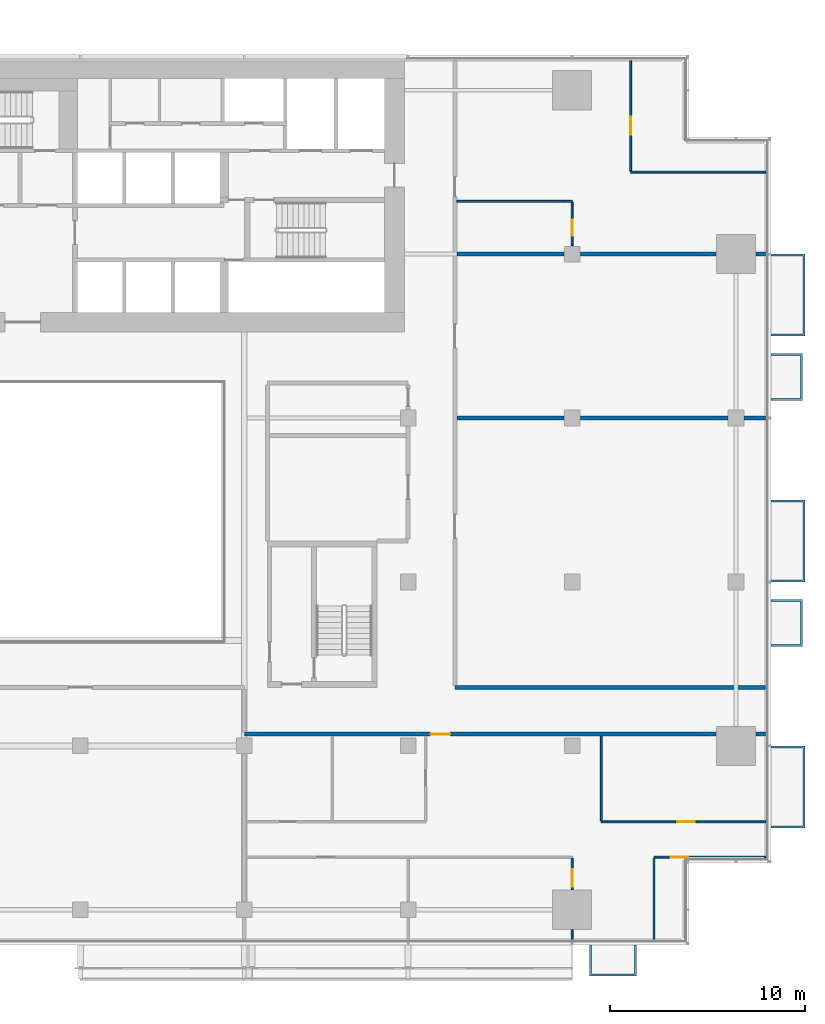
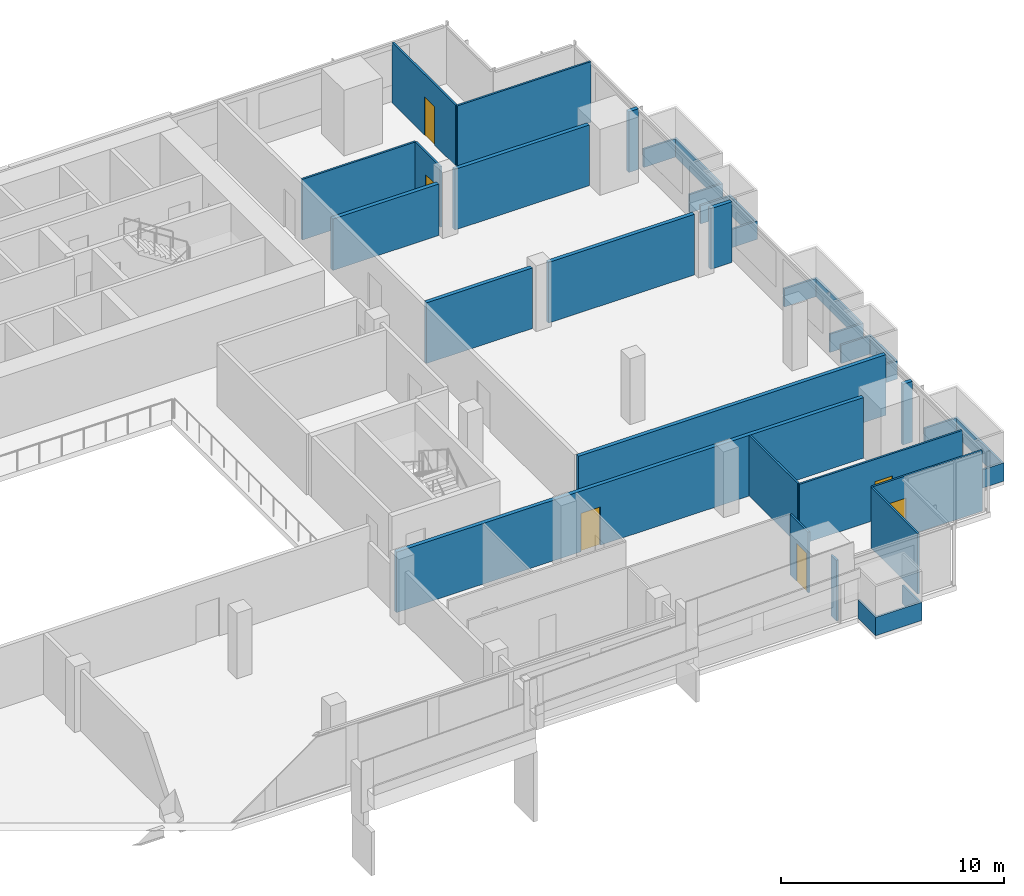
# One storey, part 22 of 26: 25 walls, 6 doors, 6 openings.
"""IFC4 building model written with IfcOpenShell, lengths in metres."""

import ifcopenshell
import ifcopenshell.guid

model = None  # the IFC model being written
_history = None  # IfcOwnerHistory: only IFC2X3 demands one
_inside = {}  # id of a spatial element -> (the spatial element, [elements in it])
_under = {}  # id of a project, library or spatial element -> (it, [spatial elements below it])
_declared = {}  # id of a project -> (the project, [libraries it declares])
_typed = {}  # id of a type object -> (the type object, [elements of that type])
_made_of = {}  # id of a material, layer set ... -> (it, [elements and type objects made of it])


def new_model(schema):
    """Start an empty IFC model of exactly this schema.

    Asked for "IFC4X3", IfcOpenShell would pick the latest addendum, in which some entities
    have other attributes; the version numbers below select the first issue.
    IFC2X3 requires an IfcOwnerHistory on every rooted entity: one is made here for all.
    """
    global model, _history
    if schema == "IFC4X3":
        model = ifcopenshell.file(schema_version=(4, 3, 0, 0))
    else:
        model = ifcopenshell.file(schema=schema)
    _inside.clear()
    _under.clear()
    _declared.clear()
    _typed.clear()
    _made_of.clear()
    _history = None
    if model.schema == "IFC2X3":
        org = make("IfcOrganization", Name="unknown")
        user = make(
            "IfcPersonAndOrganization",
            ThePerson=make("IfcPerson", FamilyName="unknown"),
            TheOrganization=org,
        )
        app = make(
            "IfcApplication",
            ApplicationDeveloper=org,
            Version="unknown",
            ApplicationFullName="unknown",
            ApplicationIdentifier="unknown",
        )
        _history = make(
            "IfcOwnerHistory",
            OwningUser=user,
            OwningApplication=app,
            ChangeAction="ADDED",
            CreationDate=0,
        )
    return model


def make(cls, **values):
    """One entity of the class cls with the attributes given. An attribute that is None is left unset."""
    return model.create_entity(
        cls, **{name: value for name, value in values.items() if value is not None}
    )


def rooted(cls, **values):
    """An entity with a GlobalId (a new one), such as an element, a storey or a relation."""
    return make(cls, GlobalId=ifcopenshell.guid.new(), OwnerHistory=_history, **values)


def si_unit(unit_type, name, prefix=None):
    """IfcSIUnit, for example si_unit("LENGTHUNIT", "METRE", prefix="MILLI")."""
    return make("IfcSIUnit", UnitType=unit_type, Prefix=prefix, Name=name)


def assignment(units):
    """IfcUnitAssignment: the units of a project."""
    return None if units is None else make("IfcUnitAssignment", Units=units)


def point(xyz):
    """IfcCartesianPoint."""
    return None if xyz is None else make("IfcCartesianPoint", Coordinates=xyz)


def direction(xyz):
    """IfcDirection."""
    return None if xyz is None else make("IfcDirection", DirectionRatios=xyz)


def frame(location, z_axis=None, x_axis=None):
    """IfcAxis2Placement3D, a coordinate frame: its origin and axes. An axis left out is left unset."""
    return make(
        "IfcAxis2Placement3D",
        Location=point(location),
        Axis=direction(z_axis),
        RefDirection=direction(x_axis),
    )


def frame_2d(location, x_axis=None):
    """IfcAxis2Placement2D, a coordinate frame in the plane: its origin and x axis."""
    return make(
        "IfcAxis2Placement2D", Location=point(location), RefDirection=direction(x_axis)
    )


def origin():
    """The frame at (0, 0, 0) with its axes left unset."""
    return frame((0.0, 0.0, 0.0))


def place(relative_to, where):
    """IfcLocalPlacement: puts the frame where relative to a parent placement (None: the world)."""
    return make(
        "IfcLocalPlacement", PlacementRelTo=relative_to, RelativePlacement=where
    )


def context(
    kind, dimensions, precision=None, world=None, true_north=None, identifier=None
):
    """IfcGeometricRepresentationContext, for example the 3D "Model" context."""
    return make(
        "IfcGeometricRepresentationContext",
        ContextIdentifier=identifier,
        ContextType=kind,
        CoordinateSpaceDimension=dimensions,
        Precision=precision,
        WorldCoordinateSystem=world,
        TrueNorth=true_north,
    )


def subcontext(parent, identifier, kind, view, scale=None):
    """IfcGeometricRepresentationSubContext, for example "Body" below "Model"."""
    return make(
        "IfcGeometricRepresentationSubContext",
        ContextIdentifier=identifier,
        ContextType=kind,
        ParentContext=parent,
        TargetScale=scale,
        TargetView=view,
    )


def project(units=None, contexts=None):
    """IfcProject with its units and contexts."""
    return rooted(
        "IfcProject",
        Name="project",
        RepresentationContexts=contexts,
        UnitsInContext=assignment(units),
    )


def spatial(cls, under=None, at=None, **own):
    """A site, building, storey or space (cls), placed at a placement, below another one or the project."""
    s = rooted(cls, ObjectPlacement=at, **own)
    if under is not None:
        _under.setdefault(under.id(), (under, []))[1].append(s)
    return s


def polyline(points):
    """IfcPolyline through the points."""
    return make("IfcPolyline", Points=[point(p) for p in points])


def profile(cls, at=None, kind="AREA", **sizes):
    """A parametric profile (cls). Its sizes go by their IFC names, for example OverallWidth=200.0."""
    return make(cls, ProfileType=kind, Position=at, **sizes)


def rectangle(**sizes):
    """IfcRectangleProfileDef."""
    return profile("IfcRectangleProfileDef", **sizes)


def outline(outer, holes=None, kind="AREA"):
    """IfcArbitraryClosedProfileDef: a profile drawn as a closed curve; with holes, ...WithVoids."""
    if holes is None:
        return make("IfcArbitraryClosedProfileDef", ProfileType=kind, OuterCurve=outer)
    return make(
        "IfcArbitraryProfileDefWithVoids",
        ProfileType=kind,
        OuterCurve=outer,
        InnerCurves=holes,
    )


def extrude(swept, where, along, depth):
    """IfcExtrudedAreaSolid: the profile swept, set in the frame where, extruded along a direction by depth."""
    return make(
        "IfcExtrudedAreaSolid",
        SweptArea=swept,
        Position=where,
        ExtrudedDirection=direction(along),
        Depth=depth,
    )


def shape(context_of_items, identifier, shape_type, items):
    """IfcShapeRepresentation: the items that make up one representation, for example the "Body"."""
    return make(
        "IfcShapeRepresentation",
        ContextOfItems=context_of_items,
        RepresentationIdentifier=identifier,
        RepresentationType=shape_type,
        Items=items,
    )


def material(Name=None, Category=None):
    """IfcMaterial."""
    return make("IfcMaterial", Name=Name, Category=Category)


def layer(
    of_material, thickness, ventilated=None, Name=None, Category=None, Priority=None
):
    """IfcMaterialLayer: one layer of a wall or slab, of a material (None: an air gap)."""
    return make(
        "IfcMaterialLayer",
        Material=of_material,
        LayerThickness=thickness,
        IsVentilated=ventilated,
        Name=Name,
        Category=Category,
        Priority=Priority,
    )


def layer_set(layers, Name=None):
    """IfcMaterialLayerSet."""
    return make("IfcMaterialLayerSet", MaterialLayers=layers, LayerSetName=Name)


def made_of(thing, what):
    """Note that an element or type object is made of a material, layer set ...; save() writes the relation."""
    if what is not None:
        _made_of.setdefault(what.id(), (what, []))[1].append(thing)
    return thing


def type_object(cls, material=None, **own):
    """A type object (cls), such as IfcWallType, which elements share."""
    return made_of(rooted(cls, **own), material)


def element(
    cls,
    number,
    at=None,
    inside=None,
    cuts=None,
    type_object=None,
    material=None,
    context=None,
    identifier="Body",
    shape_type=None,
    held_by="IfcProductDefinitionShape",
    body=None,
    shapes=None,
    **own,
):
    """One element of the class cls, such as IfcWall. Its Tag is "e" and its number.

    at: its placement. inside: the storey or other place that contains it. cuts: it is an
    opening in that element (IfcRelVoidsElement). A single representation is given by context,
    identifier, shape_type and body (its items); several are given by shapes. held_by: the class
    of the entity that holds the representations. save() writes the other relations.
    """
    e = rooted(cls, Tag="e%d" % number, ObjectPlacement=at, **own)
    if body is not None:
        shapes = [shape(context, identifier, shape_type, body)]
    if shapes is not None:
        e.Representation = make(held_by, Representations=shapes)
    if inside is not None:
        _inside.setdefault(inside.id(), (inside, []))[1].append(e)
    if cuts is not None:
        rooted(
            "IfcRelVoidsElement", RelatingBuildingElement=cuts, RelatedOpeningElement=e
        )
    if type_object is not None:
        _typed.setdefault(type_object.id(), (type_object, []))[1].append(e)
    return made_of(e, material)


def fill(opening, filler):
    """IfcRelFillsElement: the door or window that sits in an opening."""
    return rooted(
        "IfcRelFillsElement",
        RelatingOpeningElement=opening,
        RelatedBuildingElement=filler,
    )


def aggregate(whole, parts):
    """IfcRelAggregates: a whole, such as a stair, and the parts it consists of."""
    return rooted("IfcRelAggregates", RelatingObject=whole, RelatedObjects=parts)


def save(model, path):
    """Write the relations noted so far, then the file.

    IfcRelAggregates (storeys below a building ...), IfcRelContainedInSpatialStructure (elements
    in a storey), IfcRelDefinesByType, IfcRelAssociatesMaterial and IfcRelDeclares: one each for
    every whole, place, type object, material and project.
    """
    for whole, parts in _under.values():
        aggregate(whole, parts)
    for where, things in _inside.values():
        rooted(
            "IfcRelContainedInSpatialStructure",
            RelatedElements=things,
            RelatingStructure=where,
        )
    for kind, things in _typed.values():
        rooted("IfcRelDefinesByType", RelatedObjects=things, RelatingType=kind)
    for what, things in _made_of.values():
        rooted("IfcRelAssociatesMaterial", RelatedObjects=things, RelatingMaterial=what)
    for by, libraries in _declared.values():
        rooted("IfcRelDeclares", RelatingContext=by, RelatedDefinitions=libraries)
    model.write(path)


model = new_model("IFC4")

# Units and contexts
model_context = context("Model", 3, precision=1e-05, world=origin(), true_north=direction((0.0, 1.0)))
body_context = subcontext(model_context, "Body", "Model", "MODEL_VIEW")
ifc_project = project(units=[si_unit("LENGTHUNIT", "METRE"), si_unit("AREAUNIT", "SQUARE_METRE"), si_unit("VOLUMEUNIT", "CUBIC_METRE"), si_unit("PLANEANGLEUNIT", "RADIAN"), si_unit("MASSUNIT", "GRAM", prefix="KILO")], contexts=[model_context])

# Site, building, storey
site_placement = place(None, origin())
site = spatial("IfcSite", under=ifc_project, at=site_placement, CompositionType="ELEMENT")
building_placement = place(site_placement, origin())
building = spatial("IfcBuilding", under=site, at=building_placement, Name="Saffron Gate Tower", CompositionType="ELEMENT")
storey_placement = place(building_placement, frame((0.0, 0.0, 102.449951171875)))
storey = spatial("IfcBuildingStorey", under=building, at=storey_placement, Name="L23", CompositionType="ELEMENT", Elevation=102.449951171875)

# Wall, opening, door
ifc_material_1 = material(Name="Plasterboard on steel studs", Category="steel")
ifc_layer_1 = layer(ifc_material_1, 0.10009765625)
ifc_layer_set_1 = layer_set([ifc_layer_1], Name="PW1 Partition 100")
wall_type_1 = type_object("IfcWallType", Name="PW1 Partition 100", PredefinedType="PARTITIONING", material=ifc_layer_set_1)
wall_1_placement = place(storey_placement, frame((126.919921875, 34.5, 0.0), z_axis=(0.0, 0.0, 1.0), x_axis=(-1.0, 0.0, 0.0)))
wall_1 = element("IfcWall", 1, at=wall_1_placement, inside=storey, type_object=wall_type_1, Name="Partition B1-3", PredefinedType="PARTITIONING", context=body_context, shape_type="SweptSolid", body=[
    extrude(rectangle(XDim=5.719970703125, YDim=0.10009765625, at=frame_2d((2.85986328125, 0.0))), origin(), (0.0, 0.0, 1.0), 3.320068359375),
])
opening_1_placement = place(wall_1_placement, frame((3.96630859375, 0.0, 0.0)))
opening_1 = element("IfcOpeningElement", 2, at=opening_1_placement, cuts=wall_1, Name="Opening B1-11", PredefinedType="OPENING", context=body_context, shape_type="SweptSolid", body=[
    extrude(rectangle(XDim=0.89990234375, YDim=2.10009765625, at=frame_2d((0.449951171875, 1.050048828125))), frame((0.0, 0.06005859375, 0.0), z_axis=(0.0, -1.0, 0.0), x_axis=(1.0, 0.0, 0.0)), (0.0, 0.0, 1.0), 0.1201171875),
])
ifc_material_2 = material(Name="Timber door set", Category="wood")
door_type_1 = type_object("IfcDoorType", Name="RD1 Room door 900x2100", OperationType="NOTDEFINED", PredefinedType="DOOR", material=ifc_material_2)
door_1_placement = place(opening_1_placement, origin())
door_1 = element("IfcDoor", 3, at=door_1_placement, inside=storey, type_object=door_type_1, Name="Door B1-11", OperationType="SINGLE_SWING_RIGHT", OverallHeight=2.10009765625, OverallWidth=0.89990234375, PredefinedType="DOOR", context=body_context, shape_type="SweptSolid", body=[
    extrude(rectangle(XDim=0.89990234375, YDim=2.10009765625, at=frame_2d((0.449951171875, 1.050048828125))), frame((0.0, 0.02490234375, 0.0), z_axis=(0.0, -1.0, 0.0), x_axis=(1.0, 0.0, 0.0)), (0.0, 0.0, 1.0), 0.050048828125),
])
fill(opening_1, door_1)

wall_2_placement = place(storey_placement, frame((118.5, 36.300048828125, 0.0), z_axis=(0.0, 0.0, 1.0), x_axis=(1.0, 0.0, 0.0)))
wall_2 = element("IfcWall", 4, at=wall_2_placement, inside=storey, type_object=wall_type_1, Name="Partition B1-7", PredefinedType="PARTITIONING", context=body_context, shape_type="SweptSolid", body=[
    extrude(rectangle(XDim=8.419921875, YDim=0.10009765625, at=frame_2d((4.2099609375, 0.0))), origin(), (0.0, 0.0, 1.0), 3.320068359375),
])
opening_2_placement = place(wall_2_placement, frame((3.89990234375, 0.0, 0.0)))
opening_2 = element("IfcOpeningElement", 5, at=opening_2_placement, cuts=wall_2, Name="Opening B1-12", PredefinedType="OPENING", context=body_context, shape_type="SweptSolid", body=[
    extrude(rectangle(XDim=0.89990234375, YDim=2.10009765625, at=frame_2d((0.449951171875, 1.050048828125))), frame((0.0, 0.06005859375, 0.0), z_axis=(0.0, -1.0, 0.0), x_axis=(1.0, 0.0, 0.0)), (0.0, 0.0, 1.0), 0.1201171875),
])
door_2_placement = place(opening_2_placement, origin())
door_2 = element("IfcDoor", 6, at=door_2_placement, inside=storey, type_object=door_type_1, Name="Door B1-12", OperationType="SINGLE_SWING_RIGHT", OverallHeight=2.10009765625, OverallWidth=0.89990234375, PredefinedType="DOOR", context=body_context, shape_type="SweptSolid", body=[
    extrude(rectangle(XDim=0.89990234375, YDim=2.10009765625, at=frame_2d((0.449951171875, 1.050048828125))), frame((0.0, 0.02490234375, 0.0), z_axis=(0.0, -1.0, 0.0), x_axis=(1.0, 0.0, 0.0)), (0.0, 0.0, 1.0), 0.050048828125),
])
fill(opening_2, door_2)

# Walls
wall_3_placement = place(storey_placement, frame((111.10009765625, 68.10009765625, 0.0), z_axis=(0.0, 0.0, 1.0), x_axis=(1.0, 0.0, 0.0)))
element("IfcWall", 7, at=wall_3_placement, inside=storey, type_object=wall_type_1, Name="Partition B1-32", PredefinedType="PARTITIONING", context=body_context, shape_type="SweptSolid", body=[
    extrude(rectangle(XDim=5.89990234375, YDim=0.10009765625, at=frame_2d((2.949951171875, 0.0))), origin(), (0.0, 0.0, 1.0), 3.320068359375),
])
wall_4_placement = place(storey_placement, frame((120.0, 69.60009765625, 0.0), z_axis=(0.0, 0.0, 1.0), x_axis=(1.0, 0.0, 0.0)))
element("IfcWall", 8, at=wall_4_placement, inside=storey, type_object=wall_type_1, Name="Partition B1-34", PredefinedType="PARTITIONING", context=body_context, shape_type="SweptSolid", body=[
    extrude(rectangle(XDim=6.919921875, YDim=0.10009765625, at=frame_2d((3.4599609375, 0.0))), origin(), (0.0, 0.0, 1.0), 3.320068359375),
])
wall_5_placement = place(storey_placement, frame((117.0, 30.780029296875, 0.0), z_axis=(0.0, 0.0, 1.0), x_axis=(0.0, -1.0, 0.0)))
element("IfcWall", 9, at=wall_5_placement, inside=storey, type_object=wall_type_1, Name="Partition B1-67", PredefinedType="PARTITIONING", context=body_context, shape_type="SweptSolid", body=[
    extrude(rectangle(XDim=0.5, YDim=0.10009765625, at=frame_2d((0.25, 0.0))), origin(), (0.0, 0.0, 1.0), 3.320068359375),
])

# Wall, opening, door
wall_6_placement = place(storey_placement, frame((117.0, 32.820068359375, 0.0), z_axis=(0.0, 0.0, 1.0), x_axis=(0.0, 1.0, 0.0)))
wall_6 = element("IfcWall", 10, at=wall_6_placement, inside=storey, type_object=wall_type_1, Name="Partition B1-68", PredefinedType="PARTITIONING", context=body_context, shape_type="SweptSolid", body=[
    extrude(rectangle(XDim=1.6298828125, YDim=0.10009765625, at=frame_2d((0.81494140625, 0.0))), origin(), (0.0, 0.0, 1.0), 3.320068359375),
])
opening_3_placement = place(wall_6_placement, frame((0.14990234375, 0.0, 0.0)))
opening_3 = element("IfcOpeningElement", 11, at=opening_3_placement, cuts=wall_6, Name="Opening B1-10", PredefinedType="OPENING", context=body_context, shape_type="SweptSolid", body=[
    extrude(rectangle(XDim=0.89990234375, YDim=2.10009765625, at=frame_2d((0.449951171875, 1.050048828125))), frame((0.0, 0.06005859375, 0.0), z_axis=(0.0, -1.0, 0.0), x_axis=(1.0, 0.0, 0.0)), (0.0, 0.0, 1.0), 0.1201171875),
])
door_3_placement = place(opening_3_placement, origin())
door_3 = element("IfcDoor", 12, at=door_3_placement, inside=storey, type_object=door_type_1, Name="Door B1-10", OperationType="SINGLE_SWING_LEFT", OverallHeight=2.10009765625, OverallWidth=0.89990234375, PredefinedType="DOOR", context=body_context, shape_type="SweptSolid", body=[
    extrude(rectangle(XDim=0.89990234375, YDim=2.10009765625, at=frame_2d((0.449951171875, 1.050048828125))), frame((0.0, 0.02490234375, 0.0), z_axis=(0.0, -1.0, 0.0), x_axis=(1.0, 0.0, 0.0)), (0.0, 0.0, 1.0), 0.050048828125),
])
fill(opening_3, door_3)

wall_7_placement = place(storey_placement, frame((117.0, 65.820068359375, 0.0), z_axis=(0.0, 0.0, 1.0), x_axis=(0.0, 1.0, 0.0)))
wall_7 = element("IfcWall", 13, at=wall_7_placement, inside=storey, type_object=wall_type_1, Name="Partition B1-69", PredefinedType="PARTITIONING", context=body_context, shape_type="SweptSolid", body=[
    extrude(rectangle(XDim=2.22998046875, YDim=0.10009765625, at=frame_2d((1.114990234375, 0.0))), origin(), (0.0, 0.0, 1.0), 3.320068359375),
])
opening_4_placement = place(wall_7_placement, frame((0.530029296875, 0.0, 0.0)))
opening_4 = element("IfcOpeningElement", 14, at=opening_4_placement, cuts=wall_7, Name="Opening B1-21", PredefinedType="OPENING", context=body_context, shape_type="SweptSolid", body=[
    extrude(rectangle(XDim=0.800048828125, YDim=2.10009765625, at=frame_2d((0.39990234375, 1.050048828125))), frame((0.0, 0.06005859375, 0.0), z_axis=(0.0, -1.0, 0.0), x_axis=(1.0, 0.0, 0.0)), (0.0, 0.0, 1.0), 0.1201171875),
])
door_type_2 = type_object("IfcDoorType", Name="RD2 Bathroom door 800x2100", OperationType="NOTDEFINED", PredefinedType="DOOR", material=ifc_material_2)
door_4_placement = place(opening_4_placement, origin())
door_4 = element("IfcDoor", 15, at=door_4_placement, inside=storey, type_object=door_type_2, Name="Door B1-21", OperationType="SINGLE_SWING_LEFT", OverallHeight=2.10009765625, OverallWidth=0.800048828125, PredefinedType="DOOR", context=body_context, shape_type="SweptSolid", body=[
    extrude(rectangle(XDim=0.800048828125, YDim=2.10009765625, at=frame_2d((0.39990234375, 1.050048828125))), frame((0.0, 0.02490234375, 0.0), z_axis=(0.0, -1.0, 0.0), x_axis=(1.0, 0.0, 0.0)), (0.0, 0.0, 1.0), 0.050048828125),
])
fill(opening_4, door_4)

# Wall
wall_8_placement = place(storey_placement, frame((118.5, 40.699951171875, 0.0), z_axis=(0.0, 0.0, 1.0), x_axis=(0.0, -1.0, 0.0)))
element("IfcWall", 16, at=wall_8_placement, inside=storey, type_object=wall_type_1, Name="Partition B1-70", PredefinedType="PARTITIONING", context=body_context, shape_type="SweptSolid", body=[
    extrude(rectangle(XDim=4.349853515625, YDim=0.10009765625, at=frame_2d((2.1748046875, 0.0))), origin(), (0.0, 0.0, 1.0), 3.320068359375),
])

# Wall, opening, door
wall_9_placement = place(storey_placement, frame((120.0, 75.320068359375, 0.0), z_axis=(0.0, 0.0, 1.0), x_axis=(0.0, -1.0, 0.0)))
wall_9 = element("IfcWall", 17, at=wall_9_placement, inside=storey, type_object=wall_type_1, Name="Partition B1-71", PredefinedType="PARTITIONING", context=body_context, shape_type="SweptSolid", body=[
    extrude(rectangle(XDim=5.670166015625, YDim=0.10009765625, at=frame_2d((2.8349609375, 0.0))), origin(), (0.0, 0.0, 1.0), 3.320068359375),
])
opening_5_placement = place(wall_9_placement, frame((2.89111328125, 0.0, 0.0)))
opening_5 = element("IfcOpeningElement", 18, at=opening_5_placement, cuts=wall_9, Name="Opening B1-14", PredefinedType="OPENING", context=body_context, shape_type="SweptSolid", body=[
    extrude(rectangle(XDim=0.89990234375, YDim=2.10009765625, at=frame_2d((0.449951171875, 1.050048828125))), frame((0.0, 0.06005859375, 0.0), z_axis=(0.0, -1.0, 0.0), x_axis=(1.0, 0.0, 0.0)), (0.0, 0.0, 1.0), 0.1201171875),
])
door_5_placement = place(opening_5_placement, origin())
door_5 = element("IfcDoor", 19, at=door_5_placement, inside=storey, type_object=door_type_1, Name="Door B1-14", OperationType="SINGLE_SWING_RIGHT", OverallHeight=2.10009765625, OverallWidth=0.89990234375, PredefinedType="DOOR", context=body_context, shape_type="SweptSolid", body=[
    extrude(rectangle(XDim=0.89990234375, YDim=2.10009765625, at=frame_2d((0.449951171875, 1.050048828125))), frame((0.0, 0.02490234375, 0.0), z_axis=(0.0, -1.0, 0.0), x_axis=(1.0, 0.0, 0.0)), (0.0, 0.0, 1.0), 0.050048828125),
])
fill(opening_5, door_5)

# Wall
wall_10_placement = place(storey_placement, frame((121.199951171875, 34.449951171875, 0.0), z_axis=(0.0, 0.0, 1.0), x_axis=(0.0, -1.0, 0.0)))
element("IfcWall", 20, at=wall_10_placement, inside=storey, type_object=wall_type_1, Name="Partition B1-72", PredefinedType="PARTITIONING", context=body_context, shape_type="SweptSolid", body=[
    extrude(rectangle(XDim=4.169921875, YDim=0.10009765625, at=frame_2d((2.0849609375, 0.0))), origin(), (0.0, 0.0, 1.0), 3.320068359375),
])

# Wall, opening, door
ifc_material_3 = material(Name="Clay brick masonry, rendered", Category="masonry")
ifc_layer_2 = layer(ifc_material_3, 0.199951171875)
ifc_layer_set_2 = layer_set([ifc_layer_2], Name="PW3 Corridor wall 200")
wall_type_2 = type_object("IfcWallType", Name="PW3 Corridor wall 200", PredefinedType="PARTITIONING", material=ifc_layer_set_2)
wall_11_placement = place(storey_placement, frame((124.3798828125, 40.800048828125, 0.0), z_axis=(0.0, 0.0, 1.0), x_axis=(-1.0, 0.0, 0.0)))
wall_11 = element("IfcWall", 21, at=wall_11_placement, inside=storey, type_object=wall_type_2, Name="Wall B1-10", PredefinedType="PARTITIONING", context=body_context, shape_type="SweptSolid", body=[
    extrude(rectangle(XDim=24.179931640625, YDim=0.199951171875, at=frame_2d((12.08984375, 0.0))), origin(), (0.0, 0.0, 1.0), 3.320068359375),
])
opening_6_placement = place(wall_11_placement, frame((13.6298828125, 0.0, 0.0)))
opening_6 = element("IfcOpeningElement", 22, at=opening_6_placement, cuts=wall_11, Name="Opening B1-2", PredefinedType="OPENING", context=body_context, shape_type="SweptSolid", body=[
    extrude(rectangle(XDim=1.0, YDim=2.10009765625, at=frame_2d((0.5, 1.050048828125))), frame((0.0, 0.10986328125, 0.0), z_axis=(0.0, -1.0, 0.0), x_axis=(1.0, 0.0, 0.0)), (0.0, 0.0, 1.0), 0.219970703125),
])
ifc_material_4 = material(Name="Timber fire door set", Category="wood")
door_type_3 = type_object("IfcDoorType", Name="FD1 Flat entry door 1000x2100", OperationType="NOTDEFINED", PredefinedType="DOOR", material=ifc_material_4)
door_6_placement = place(opening_6_placement, origin())
door_6 = element("IfcDoor", 23, at=door_6_placement, inside=storey, type_object=door_type_3, Name="Door B1-2", OperationType="SINGLE_SWING_RIGHT", OverallHeight=2.10009765625, OverallWidth=1.0, PredefinedType="DOOR", context=body_context, shape_type="SweptSolid", body=[
    extrude(rectangle(XDim=1.0, YDim=2.10009765625, at=frame_2d((0.5, 1.050048828125))), frame((0.0, 0.02490234375, 0.0), z_axis=(0.0, -1.0, 0.0), x_axis=(1.0, 0.0, 0.0)), (0.0, 0.0, 1.0), 0.050048828125),
])
fill(opening_6, door_6)

# Walls
wall_12_placement = place(storey_placement, frame((126.419921875, 40.800048828125, 0.0), z_axis=(0.0, 0.0, 1.0), x_axis=(1.0, 0.0, 0.0)))
element("IfcWall", 24, at=wall_12_placement, inside=storey, type_object=wall_type_2, Name="Wall B1-11", PredefinedType="PARTITIONING", context=body_context, shape_type="SweptSolid", body=[
    extrude(rectangle(XDim=0.5, YDim=0.199951171875, at=frame_2d((0.25, 0.0))), origin(), (0.0, 0.0, 1.0), 3.320068359375),
])
wall_13_placement = place(storey_placement, frame((111.0, 43.199951171875, 0.0), z_axis=(0.0, 0.0, 1.0), x_axis=(1.0, 0.0, 0.0)))
element("IfcWall", 25, at=wall_13_placement, inside=storey, type_object=wall_type_2, Name="Wall B1-14", PredefinedType="PARTITIONING", context=body_context, shape_type="SweptSolid", body=[
    extrude(rectangle(XDim=15.919921875, YDim=0.199951171875, at=frame_2d((7.9599609375, 0.0))), origin(), (0.0, 0.0, 1.0), 3.320068359375),
])
ifc_layer_3 = layer(ifc_material_3, 0.199951171875)
ifc_layer_set_3 = layer_set([ifc_layer_3], Name="PW5 Room wall 200")
wall_type_3 = type_object("IfcWallType", Name="PW5 Room wall 200", PredefinedType="PARTITIONING", material=ifc_layer_set_3)
wall_14_placement = place(storey_placement, frame((111.10009765625, 57.0, 0.0), z_axis=(0.0, 0.0, 1.0), x_axis=(1.0, 0.0, 0.0)))
element("IfcWall", 26, at=wall_14_placement, inside=storey, type_object=wall_type_3, Name="Wall B1-21", PredefinedType="PARTITIONING", context=body_context, shape_type="SweptSolid", body=[
    extrude(rectangle(XDim=5.47998046875, YDim=0.199951171875, at=frame_2d((2.739990234375, 0.0))), origin(), (0.0, 0.0, 1.0), 3.320068359375),
])
wall_15_placement = place(storey_placement, frame((117.419921875, 57.0, 0.0), z_axis=(0.0, 0.0, 1.0), x_axis=(1.0, 0.0, 0.0)))
element("IfcWall", 27, at=wall_15_placement, inside=storey, type_object=wall_type_3, Name="Wall B1-22", PredefinedType="PARTITIONING", context=body_context, shape_type="SweptSolid", body=[
    extrude(rectangle(XDim=7.56005859375, YDim=0.199951171875, at=frame_2d((3.780029296875, 0.0))), origin(), (0.0, 0.0, 1.0), 3.320068359375),
])
wall_16_placement = place(storey_placement, frame((125.820068359375, 57.0, 0.0), z_axis=(0.0, 0.0, 1.0), x_axis=(1.0, 0.0, 0.0)))
element("IfcWall", 28, at=wall_16_placement, inside=storey, type_object=wall_type_3, Name="Wall B1-23", PredefinedType="PARTITIONING", context=body_context, shape_type="SweptSolid", body=[
    extrude(rectangle(XDim=1.099853515625, YDim=0.199951171875, at=frame_2d((0.5498046875, 0.0))), origin(), (0.0, 0.0, 1.0), 3.320068359375),
])
wall_17_placement = place(storey_placement, frame((111.10009765625, 65.39990234375, 0.0), z_axis=(0.0, 0.0, 1.0), x_axis=(1.0, 0.0, 0.0)))
element("IfcWall", 29, at=wall_17_placement, inside=storey, type_object=wall_type_3, Name="Wall B1-29", PredefinedType="PARTITIONING", context=body_context, shape_type="SweptSolid", body=[
    extrude(rectangle(XDim=5.47998046875, YDim=0.199951171875, at=frame_2d((2.739990234375, 0.0))), origin(), (0.0, 0.0, 1.0), 2.820068359375),
])
wall_18_placement = place(storey_placement, frame((117.419921875, 65.39990234375, 0.0), z_axis=(0.0, 0.0, 1.0), x_axis=(1.0, 0.0, 0.0)))
element("IfcWall", 30, at=wall_18_placement, inside=storey, type_object=wall_type_3, Name="Wall B1-30", PredefinedType="PARTITIONING", context=body_context, shape_type="SweptSolid", body=[
    extrude(rectangle(XDim=6.9599609375, YDim=0.199951171875, at=frame_2d((3.47998046875, 0.0))), origin(), (0.0, 0.0, 1.0), 3.320068359375),
])
wall_19_placement = place(storey_placement, frame((126.419921875, 65.39990234375, 0.0), z_axis=(0.0, 0.0, 1.0), x_axis=(1.0, 0.0, 0.0)))
element("IfcWall", 31, at=wall_19_placement, inside=storey, type_object=wall_type_3, Name="Wall B1-31", PredefinedType="PARTITIONING", context=body_context, shape_type="SweptSolid", body=[
    extrude(rectangle(XDim=0.5, YDim=0.199951171875, at=frame_2d((0.25, 0.0))), origin(), (0.0, 0.0, 1.0), 3.320068359375),
])
ifc_material_5 = material(Name="Rendered insulated panel, white")
ifc_layer_4 = layer(ifc_material_5, 0.10009765625)
ifc_layer_set_4 = layer_set([ifc_layer_4], Name="WB3 box parapet white")
wall_type_4 = type_object("IfcWallType", Name="WB3 box parapet white", PredefinedType="SOLIDWALL", material=ifc_layer_set_4)
wall_20_placement = place(storey_placement, origin())
element("IfcWall", 32, at=wall_20_placement, inside=storey, type_object=wall_type_4, Name="WINDOW BOX parapet", PredefinedType="SOLIDWALL", context=body_context, shape_type="SweptSolid", body=[
    extrude(outline(polyline([(117.89990234375, 30.0), (118.0, 30.0), (118.0, 28.5), (120.199951171875, 28.5), (120.199951171875, 30.0), (120.300048828125, 30.0), (120.300048828125, 28.39990234375), (117.89990234375, 28.39990234375), (117.89990234375, 30.0)])), origin(), (0.0, 0.0, 1.0), 1.0),
])
wall_21_placement = place(storey_placement, origin())
element("IfcWall", 33, at=wall_21_placement, inside=storey, type_object=wall_type_4, Name="WINDOW BOX parapet", PredefinedType="SOLIDWALL", context=body_context, shape_type="SweptSolid", body=[
    extrude(outline(polyline([(127.199951171875, 36.0), (127.199951171875, 36.10009765625), (128.8330078125, 36.10009765625), (128.8330078125, 40.10009765625), (127.199951171875, 40.10009765625), (127.199951171875, 40.199951171875), (128.93310546875, 40.199951171875), (128.93310546875, 36.0), (127.199951171875, 36.0)])), origin(), (0.0, 0.0, 1.0), 1.0),
])
wall_22_placement = place(storey_placement, origin())
element("IfcWall", 34, at=wall_22_placement, inside=storey, type_object=wall_type_4, Name="WINDOW BOX parapet", PredefinedType="SOLIDWALL", context=body_context, shape_type="SweptSolid", body=[
    extrude(outline(polyline([(127.199951171875, 45.300048828125), (127.199951171875, 45.39990234375), (128.699951171875, 45.39990234375), (128.699951171875, 47.60009765625), (127.199951171875, 47.60009765625), (127.199951171875, 47.699951171875), (128.800048828125, 47.699951171875), (128.800048828125, 45.300048828125), (127.199951171875, 45.300048828125)])), origin(), (0.0, 0.0, 1.0), 1.0),
])
wall_23_placement = place(storey_placement, origin())
element("IfcWall", 35, at=wall_23_placement, inside=storey, type_object=wall_type_4, Name="WINDOW BOX parapet", PredefinedType="SOLIDWALL", context=body_context, shape_type="SweptSolid", body=[
    extrude(outline(polyline([(127.199951171875, 48.60009765625), (127.199951171875, 48.699951171875), (128.8330078125, 48.699951171875), (128.8330078125, 52.699951171875), (127.199951171875, 52.699951171875), (127.199951171875, 52.800048828125), (128.93310546875, 52.800048828125), (128.93310546875, 48.60009765625), (127.199951171875, 48.60009765625)])), origin(), (0.0, 0.0, 1.0), 1.0),
])
wall_24_placement = place(storey_placement, origin())
element("IfcWall", 36, at=wall_24_placement, inside=storey, type_object=wall_type_4, Name="WINDOW BOX parapet", PredefinedType="SOLIDWALL", context=body_context, shape_type="SweptSolid", body=[
    extrude(outline(polyline([(127.199951171875, 57.89990234375), (127.199951171875, 58.0), (128.699951171875, 58.0), (128.699951171875, 60.199951171875), (127.199951171875, 60.199951171875), (127.199951171875, 60.300048828125), (128.800048828125, 60.300048828125), (128.800048828125, 57.89990234375), (127.199951171875, 57.89990234375)])), origin(), (0.0, 0.0, 1.0), 1.0),
])
wall_25_placement = place(storey_placement, origin())
element("IfcWall", 37, at=wall_25_placement, inside=storey, type_object=wall_type_4, Name="WINDOW BOX parapet", PredefinedType="SOLIDWALL", context=body_context, shape_type="SweptSolid", body=[
    extrude(outline(polyline([(127.199951171875, 61.199951171875), (127.199951171875, 61.300048828125), (128.8330078125, 61.300048828125), (128.8330078125, 65.300048828125), (127.199951171875, 65.300048828125), (127.199951171875, 65.39990234375), (128.93310546875, 65.39990234375), (128.93310546875, 61.199951171875), (127.199951171875, 61.199951171875)])), origin(), (0.0, 0.0, 1.0), 1.0),
])

save(model, "model.ifc")
